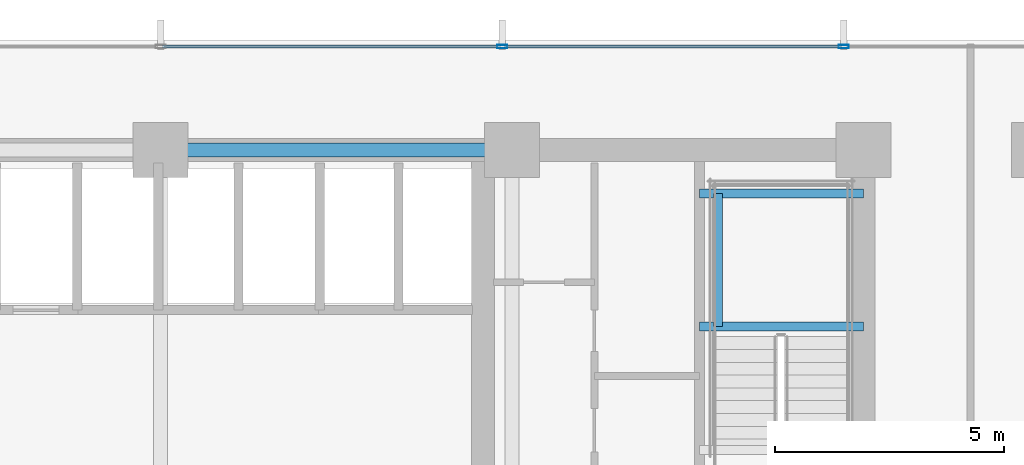
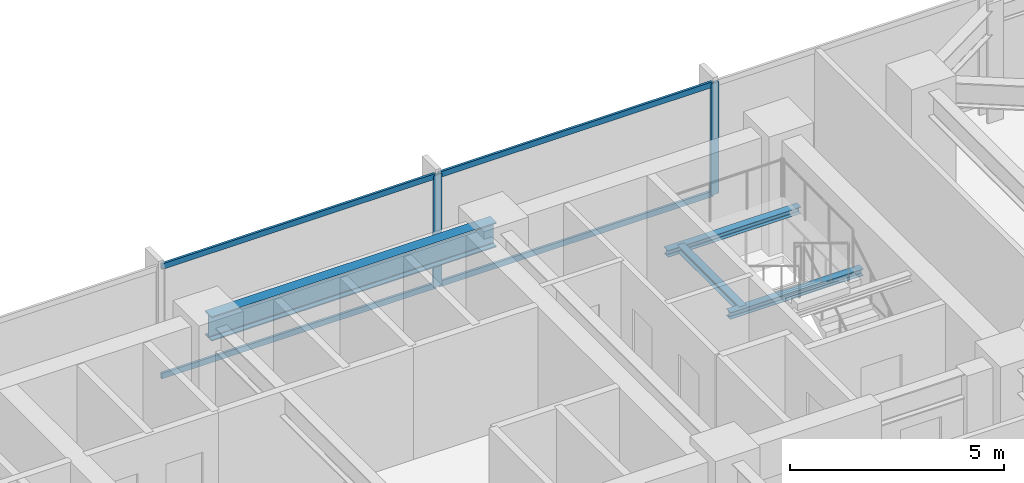
# One storey, part 19 of 32: 6 members, 4 beams, 1 element without a shape of its own.
"""IFC4 building model written with IfcOpenShell, lengths in metres."""

from ifc_helpers import new_model, si_unit, direction, frame, origin, origin_2d, place, context, subcontext, project, spatial, hollow_rectangle, i_section, extrude, material, material_profile, profile_set, type_object, element, aggregate, save


model = new_model("IFC4")

# Units and contexts
model_context = context("Model", 3, precision=1e-05, world=origin(), true_north=direction((0.0, 1.0)))
body_context = subcontext(model_context, "Body", "Model", "MODEL_VIEW")
ifc_project = project(units=[si_unit("LENGTHUNIT", "METRE"), si_unit("AREAUNIT", "SQUARE_METRE"), si_unit("VOLUMEUNIT", "CUBIC_METRE"), si_unit("PLANEANGLEUNIT", "RADIAN"), si_unit("MASSUNIT", "GRAM", prefix="KILO")], contexts=[model_context])

# Site, building, storey
site_placement = place(None, origin())
site = spatial("IfcSite", under=ifc_project, at=site_placement, CompositionType="ELEMENT")
building_placement = place(site_placement, origin())
building = spatial("IfcBuilding", under=site, at=building_placement, Name="Yelkora Congress Tower", CompositionType="ELEMENT")
storey_placement = place(building_placement, frame((0.0, 0.0, 40.60009765625)))
storey = spatial("IfcBuildingStorey", under=building, at=storey_placement, Name="L09", CompositionType="ELEMENT", Elevation=40.60009765625)

# Beams
ifc_material_1 = material(Name="Steel S355J2", Category="steel")
ifc_material_profile_1 = material_profile(ifc_material_1, i_section(OverallWidth=0.300048828125, OverallDepth=0.699951171875, WebThickness=0.01708984375, FlangeThickness=0.031982421875, FilletRadius=0.027099609375, at=origin_2d()), Name="HEB 700")
ifc_profile_set_1 = profile_set([ifc_material_profile_1], Name="Steel S355J2")
beam_type_1 = type_object("IfcBeamType", Name="BM-GIRD-HEB700", PredefinedType="BEAM", material=ifc_profile_set_1)
beam_1_placement = place(storey_placement, frame((38.39990234375, 46.199951171875, 2.829833984375), z_axis=(1.0, 0.0, 0.0), x_axis=(0.0, 1.0, 0.0)))
element("IfcBeam", 1, at=beam_1_placement, inside=storey, type_object=beam_type_1, Name="L09 Core North Girder 4", PredefinedType="BEAM", context=body_context, shape_type="SweptSolid", body=[
    extrude(i_section(OverallWidth=0.300048828125, OverallDepth=0.699951171875, WebThickness=0.01708984375, FlangeThickness=0.031982421875, FilletRadius=0.027099609375, at=origin_2d()), origin(), (0.0, 0.0, 1.0), 7.68017578125),
])
ifc_material_profile_2 = material_profile(ifc_material_1, i_section(OverallWidth=0.199951171875, OverallDepth=0.18994140625, WebThickness=0.006591796875, FlangeThickness=0.010009765625, FilletRadius=0.01806640625, at=origin_2d()), Name="HEA 200")
ifc_profile_set_2 = profile_set([ifc_material_profile_2], Name="Steel S355J2")
beam_type_2 = type_object("IfcBeamType", Name="BM-LAND-HEA200", PredefinedType="BEAM", material=ifc_profile_set_2)
for number, where, z_axis, x_axis, name in (
    (2, (50.179931640625, 42.340087890625, 1.384521484375), (1.0, 0.0, 0.0), (0.0, 1.0, 0.0), "ST-02 L09 Landing Header Beam 1S"),
    (3, (50.179931640625, 45.25, 1.384521484375), (1.0, 0.0, 0.0), (0.0, 1.0, 0.0), "ST-02 L09 Landing Header Beam 1N"),
):
    element("IfcBeam", number, at=place(storey_placement, frame(where, z_axis=z_axis, x_axis=x_axis)), inside=storey, type_object=beam_type_2, Name=name, PredefinedType="BEAM", context=body_context, shape_type="SweptSolid", body=[
        extrude(i_section(OverallWidth=0.199951171875, OverallDepth=0.18994140625, WebThickness=0.006591796875, FlangeThickness=0.010009765625, FilletRadius=0.01806640625, at=origin_2d()), origin(), (0.0, 0.0, 1.0), 3.580078125),
    ])
beam_2_placement = place(storey_placement, frame((50.580078125, 42.340087890625, 1.384521484375), z_axis=(0.0, 1.0, 0.0), x_axis=(-1.0, 0.0, 0.0)))
element("IfcBeam", 4, at=beam_2_placement, inside=storey, type_object=beam_type_2, Name="ST-02 L09 Landing Trimmer Beam 1M", PredefinedType="BEAM", context=body_context, shape_type="SweptSolid", body=[
    extrude(i_section(OverallWidth=0.199951171875, OverallDepth=0.18994140625, WebThickness=0.006591796875, FlangeThickness=0.010009765625, FilletRadius=0.01806640625, at=origin_2d()), origin(), (0.0, 0.0, 1.0), 2.909912109375),
])

# Curtain wall, members
ifc_material_2 = material(Name="Anodised aluminium and insulated glass", Category="aluminium")
curtain_wall_type = type_object("IfcCurtainWallType", Name="CW-SYS-B1", PredefinedType="NOTDEFINED", material=ifc_material_2)
curtain_wall_placement = place(storey_placement, origin())
curtain_wall = element("IfcCurtainWall", 5, at=curtain_wall_placement, inside=storey, type_object=curtain_wall_type, Name="L09 Unitised Curtain Wall 10", PredefinedType="NOTDEFINED")
ifc_material_3 = material(Name="Anodised aluminium 6063-T6", Category="aluminium")
ifc_material_profile_3 = material_profile(ifc_material_3, hollow_rectangle(XDim=0.074951171875, YDim=0.219970703125, WallThickness=0.0048828125, at=origin_2d()), Name="ALU 75x220x5")
ifc_profile_set_3 = profile_set([ifc_material_profile_3], Name="Anodised aluminium 6063-T6")
member_type_1 = type_object("IfcMemberType", Name="MEM-ML-B1", PredefinedType="MULLION", material=ifc_profile_set_3)
member_1_placement = place(storey_placement, frame((45.864990234375, 48.4599609375, 0.0), z_axis=(0.0, 0.0, 1.0), x_axis=(0.0, 1.0, 0.0)))
member_1 = element("IfcMember", 6, at=member_1_placement, type_object=member_type_1, Name="CW-B1 mullion 6", PredefinedType="MULLION", context=body_context, shape_type="SweptSolid", body=[
    extrude(hollow_rectangle(XDim=0.074951171875, YDim=0.219970703125, WallThickness=0.0048828125, at=origin_2d()), origin(), (0.0, 0.0, 1.0), 3.179931640625),
])
member_2_placement = place(storey_placement, frame((53.330078125, 48.4599609375, 0.0), z_axis=(0.0, 0.0, 1.0), x_axis=(0.0, 1.0, 0.0)))
member_2 = element("IfcMember", 7, at=member_2_placement, type_object=member_type_1, Name="CW-B1 mullion 7", PredefinedType="MULLION", context=body_context, shape_type="SweptSolid", body=[
    extrude(hollow_rectangle(XDim=0.074951171875, YDim=0.219970703125, WallThickness=0.0048828125, at=origin_2d()), origin(), (0.0, 0.0, 1.0), 3.179931640625),
])
ifc_material_profile_4 = material_profile(ifc_material_3, hollow_rectangle(XDim=0.06494140625, YDim=0.159912109375, WallThickness=0.00390625, at=origin_2d()), Name="ALU 65x160x4")
ifc_profile_set_4 = profile_set([ifc_material_profile_4], Name="Anodised aluminium 6063-T6")
member_type_2 = type_object("IfcMemberType", Name="MEM-TR-B1", PredefinedType="USERDEFINED", material=ifc_profile_set_4)
member_3_placement = place(storey_placement, frame((38.4375, 48.4599609375, 0.032470703125), z_axis=(1.0, 0.0, 0.0), x_axis=(0.0, 1.0, 0.0)))
member_3 = element("IfcMember", 8, at=member_3_placement, type_object=member_type_2, Name="CW-B1 transom 5.1", ObjectType="TRANSOM", PredefinedType="USERDEFINED", context=body_context, shape_type="SweptSolid", body=[
    extrude(hollow_rectangle(XDim=0.06494140625, YDim=0.159912109375, WallThickness=0.00390625, at=origin_2d()), origin(), (0.0, 0.0, 1.0), 7.389892578125),
])
member_4_placement = place(storey_placement, frame((38.4375, 48.4599609375, 3.1474609375), z_axis=(1.0, 0.0, 0.0), x_axis=(0.0, 1.0, 0.0)))
member_4 = element("IfcMember", 9, at=member_4_placement, type_object=member_type_2, Name="CW-B1 transom 5.2", ObjectType="TRANSOM", PredefinedType="USERDEFINED", context=body_context, shape_type="SweptSolid", body=[
    extrude(hollow_rectangle(XDim=0.06494140625, YDim=0.159912109375, WallThickness=0.00390625, at=origin_2d()), origin(), (0.0, 0.0, 1.0), 7.389892578125),
])
member_5_placement = place(storey_placement, frame((45.902587890625, 48.4599609375, 0.032470703125), z_axis=(1.0, 0.0, 0.0), x_axis=(0.0, 1.0, 0.0)))
member_5 = element("IfcMember", 10, at=member_5_placement, type_object=member_type_2, Name="CW-B1 transom 6.1", ObjectType="TRANSOM", PredefinedType="USERDEFINED", context=body_context, shape_type="SweptSolid", body=[
    extrude(hollow_rectangle(XDim=0.06494140625, YDim=0.159912109375, WallThickness=0.00390625, at=origin_2d()), origin(), (0.0, 0.0, 1.0), 7.389892578125),
])
member_6_placement = place(storey_placement, frame((45.902587890625, 48.4599609375, 3.1474609375), z_axis=(1.0, 0.0, 0.0), x_axis=(0.0, 1.0, 0.0)))
member_6 = element("IfcMember", 11, at=member_6_placement, type_object=member_type_2, Name="CW-B1 transom 6.2", ObjectType="TRANSOM", PredefinedType="USERDEFINED", context=body_context, shape_type="SweptSolid", body=[
    extrude(hollow_rectangle(XDim=0.06494140625, YDim=0.159912109375, WallThickness=0.00390625, at=origin_2d()), origin(), (0.0, 0.0, 1.0), 7.389892578125),
])
aggregate(curtain_wall, [member_1, member_2, member_3, member_4, member_5, member_6])

save(model, "model.ifc")
